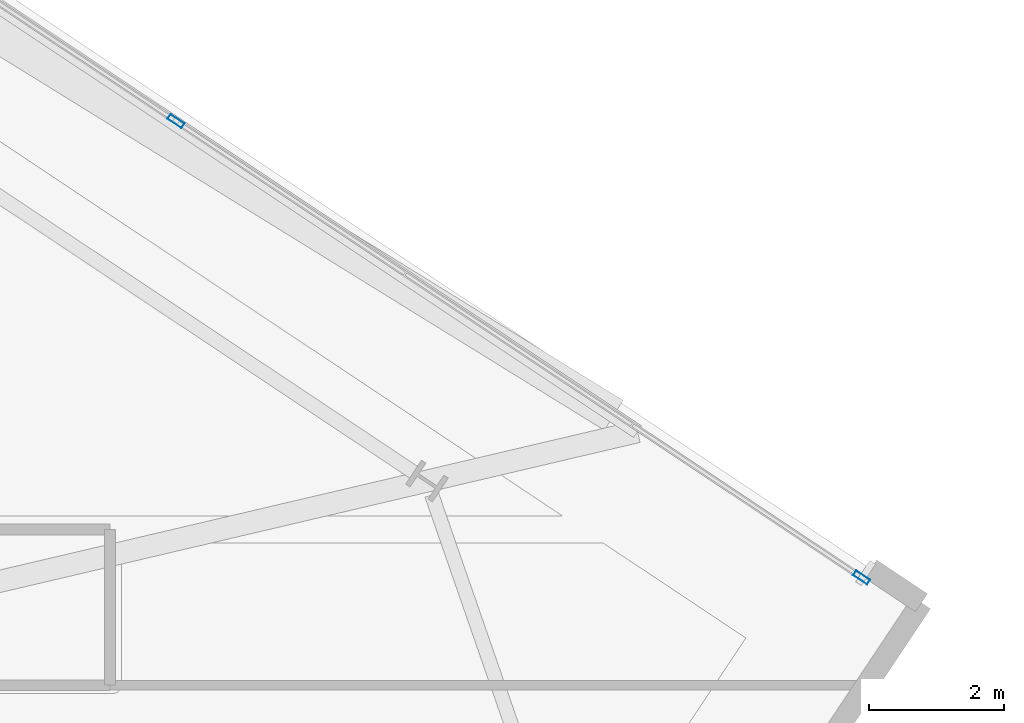
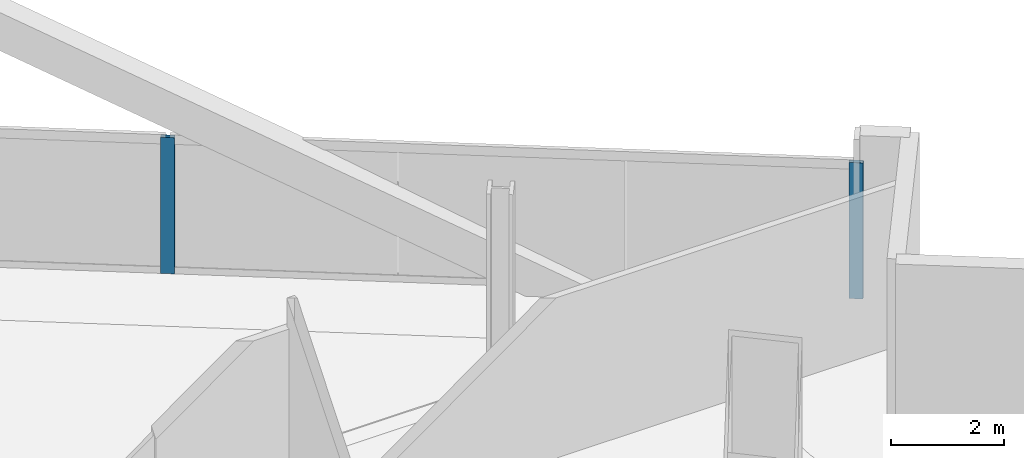
# One storey, part 20 of 32: 2 members, 1 element without a shape of its own.
"""IFC4 building model written with IfcOpenShell, lengths in metres."""

from ifc_helpers import new_model, si_unit, direction, frame, origin, origin_2d, place, context, subcontext, project, spatial, hollow_rectangle, extrude, material, material_profile, profile_set, type_object, element, aggregate, save


model = new_model("IFC4")

# Units and contexts
model_context = context("Model", 3, precision=1e-05, world=origin(), true_north=direction((0.0, 1.0)))
body_context = subcontext(model_context, "Body", "Model", "MODEL_VIEW")
ifc_project = project(units=[si_unit("LENGTHUNIT", "METRE"), si_unit("AREAUNIT", "SQUARE_METRE"), si_unit("VOLUMEUNIT", "CUBIC_METRE"), si_unit("PLANEANGLEUNIT", "RADIAN"), si_unit("MASSUNIT", "GRAM", prefix="KILO")], contexts=[model_context])

# Site, building, storey
site_placement = place(None, origin())
site = spatial("IfcSite", under=ifc_project, at=site_placement, CompositionType="ELEMENT")
building_placement = place(site_placement, origin())
building = spatial("IfcBuilding", under=site, at=building_placement, Name="Haldenkirk Collegiate Tower", CompositionType="ELEMENT")
storey_placement = place(building_placement, frame((0.0, 0.0, 217.199951171875)))
storey = spatial("IfcBuildingStorey", under=building, at=storey_placement, Name="L54", CompositionType="ELEMENT", Elevation=217.199951171875)

# Curtain wall, members
ifc_material = material(Name="Anodised architectural bronze aluminium", Category="aluminium")
curtain_wall_type = type_object("IfcCurtainWallType", Name="CW-SYS1B-CONVEX-HI", PredefinedType="USERDEFINED", material=ifc_material)
curtain_wall_placement = place(storey_placement, origin())
curtain_wall = element("IfcCurtainWall", 1, at=curtain_wall_placement, inside=storey, type_object=curtain_wall_type, Name="L54 Upper tower high-wind convex bronze unitised curtain wall", ObjectType="UNITISED CURTAIN WALL", PredefinedType="USERDEFINED")
ifc_material_profile = material_profile(ifc_material, hollow_rectangle(XDim=0.0849609375, YDim=0.25, WallThickness=0.0048828125, at=origin_2d()), Name="CW-MUL-1B")
ifc_profile_set = profile_set([ifc_material_profile], Name="Anodised architectural bronze aluminium")
member_type = type_object("IfcMemberType", Name="CW-MUL-1B", PredefinedType="MULLION", material=ifc_profile_set)
member_1_placement = place(storey_placement, frame((54.776123046875, 42.4765625, 0.0), z_axis=(0.0, 0.0, 1.0), x_axis=(0.554118725701, 0.832437648012, 0.0)))
member_1 = element("IfcMember", 2, at=member_1_placement, type_object=member_type, Name="CW-1B mullion 3", PredefinedType="MULLION", context=body_context, shape_type="SweptSolid", body=[
    extrude(hollow_rectangle(XDim=0.0849609375, YDim=0.25, WallThickness=0.0048828125, at=origin_2d()), origin(), (0.0, 0.0, 1.0), 2.927978515625),
])
member_2_placement = place(storey_placement, frame((64.896728515625, 35.739990234375, 0.0), z_axis=(0.0, 0.0, 1.0), x_axis=(0.554118725701, 0.832437648012, 0.0)))
member_2 = element("IfcMember", 3, at=member_2_placement, type_object=member_type, Name="CW-1B mullion 4", PredefinedType="MULLION", context=body_context, shape_type="SweptSolid", body=[
    extrude(hollow_rectangle(XDim=0.0849609375, YDim=0.25, WallThickness=0.0048828125, at=origin_2d()), origin(), (0.0, 0.0, 1.0), 2.927978515625),
])
aggregate(curtain_wall, [member_1, member_2])

save(model, "model.ifc")
